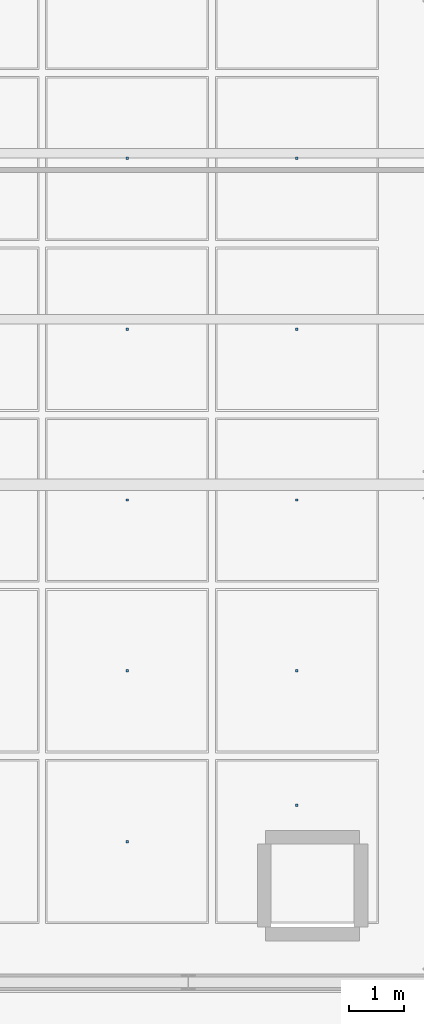
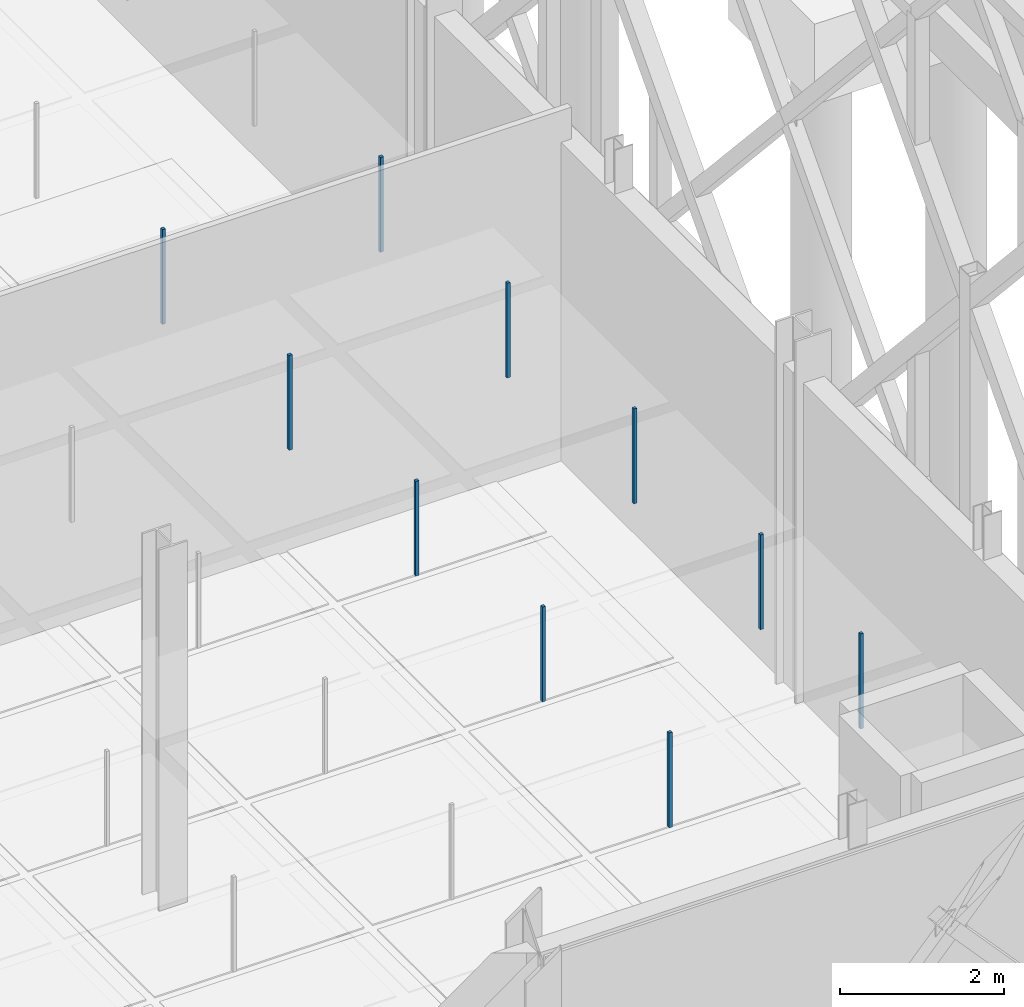
# One storey, part 114 of 180: 10 discrete accessories.
"""IFC4 building model written with IfcOpenShell, lengths in metres."""

from ifc_helpers import new_model, si_unit, direction, frame, origin, origin_2d, place, context, subcontext, project, spatial, rectangle, extrude, material, type_object, element, save


model = new_model("IFC4")

# Units and contexts
model_context = context("Model", 3, precision=1e-05, world=origin(), true_north=direction((0.0, 1.0)))
body_context = subcontext(model_context, "Body", "Model", "MODEL_VIEW")
ifc_project = project(units=[si_unit("LENGTHUNIT", "METRE"), si_unit("AREAUNIT", "SQUARE_METRE"), si_unit("VOLUMEUNIT", "CUBIC_METRE"), si_unit("PLANEANGLEUNIT", "RADIAN"), si_unit("MASSUNIT", "GRAM", prefix="KILO"), si_unit("THERMODYNAMICTEMPERATUREUNIT", "KELVIN"), si_unit("POWERUNIT", "WATT")], contexts=[model_context])

# Site, building, storey
site_placement = place(None, origin())
site = spatial("IfcSite", under=ifc_project, at=site_placement, CompositionType="ELEMENT")
building_placement = place(site_placement, origin())
building = spatial("IfcBuilding", under=site, at=building_placement, Name="Tallowbark Science Centre", CompositionType="ELEMENT")
storey_placement = place(building_placement, origin())
storey = spatial("IfcBuildingStorey", under=building, at=storey_placement, Name="L00", CompositionType="ELEMENT", Elevation=0.0)

# Discrete accessories
ifc_material = material(Name="Galvanised Steel Grade C350L0 (350 MPa)", Category="steel")
discrete_accessory_type = type_object("IfcDiscreteAccessoryType", Name="ACC-CLG-HNG", PredefinedType="BRACKET", material=ifc_material)
for number, where, z_axis, x_axis, name in (
    (1, (97.892822265625, 7.04541015625, 3.8095703125), (0.0, 0.0, 1.0), (1.0, 0.0, 0.0), "Ceiling Hanger Bracket L00-187"),
    (2, (97.892822265625, 10.136474609375, 3.8095703125), (0.0, 0.0, 1.0), (1.0, 0.0, 0.0), "Ceiling Hanger Bracket L00-188"),
    (3, (97.892822265625, 13.227294921875, 3.8095703125), (0.0, 0.0, 1.0), (1.0, 0.0, 0.0), "Ceiling Hanger Bracket L00-189"),
    (4, (97.892822265625, 16.318115234375, 3.8095703125), (0.0, 0.0, 1.0), (1.0, 0.0, 0.0), "Ceiling Hanger Bracket L00-190"),
    (5, (97.892822265625, 19.4091796875, 3.8095703125), (0.0, 0.0, 1.0), (1.0, 0.0, 0.0), "Ceiling Hanger Bracket L00-191"),
    (6, (100.96435546875, 7.700439453125, 3.8095703125), (0.0, 0.0, 1.0), (1.0, 0.0, 0.0), "Ceiling Hanger Bracket L00-194"),
    (7, (100.96435546875, 10.136474609375, 3.8095703125), (0.0, 0.0, 1.0), (1.0, 0.0, 0.0), "Ceiling Hanger Bracket L00-195"),
    (8, (100.96435546875, 13.227294921875, 3.8095703125), (0.0, 0.0, 1.0), (1.0, 0.0, 0.0), "Ceiling Hanger Bracket L00-196"),
    (9, (100.96435546875, 16.318115234375, 3.8095703125), (0.0, 0.0, 1.0), (1.0, 0.0, 0.0), "Ceiling Hanger Bracket L00-197"),
    (10, (100.96435546875, 19.4091796875, 3.8095703125), (0.0, 0.0, 1.0), (1.0, 0.0, 0.0), "Ceiling Hanger Bracket L00-198"),
):
    element("IfcDiscreteAccessory", number, at=place(storey_placement, frame(where, z_axis=z_axis, x_axis=x_axis)), inside=storey, type_object=discrete_accessory_type, Name=name, PredefinedType="BRACKET", context=body_context, shape_type="SweptSolid", body=[
        extrude(rectangle(XDim=0.044921875, YDim=0.044921875, at=origin_2d()), origin(), (0.0, 0.0, 1.0), 1.41357421875),
    ])

save(model, "model.ifc")
